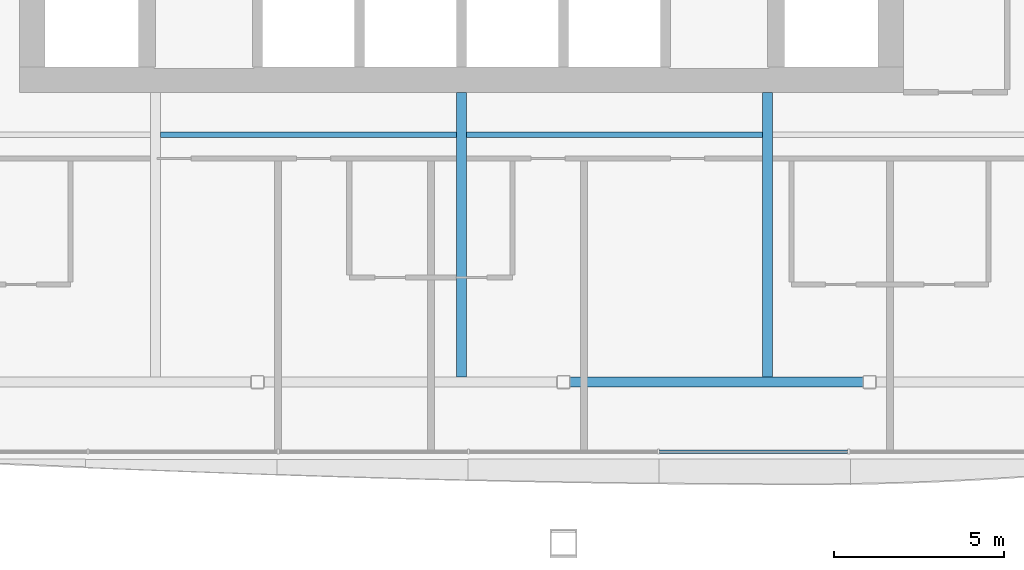
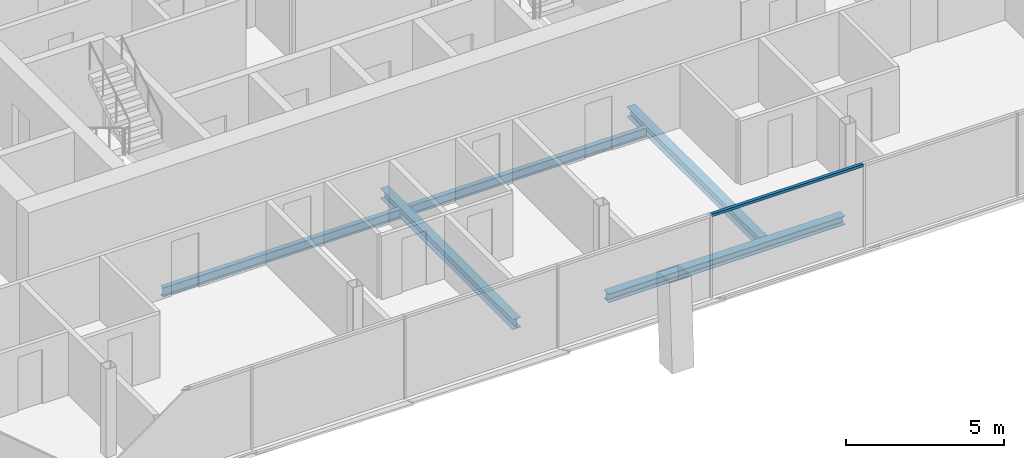
# One storey, part 4 of 21: 5 beams, 1 member, 1 element without a shape of its own.
"""IFC4 building model written with IfcOpenShell, lengths in metres."""

from ifc_helpers import new_model, si_unit, direction, frame, origin, origin_2d, place, context, subcontext, project, spatial, rectangle, i_section, extrude, material, material_profile, profile_set, type_object, element, aggregate, save


model = new_model("IFC4")

# Units and contexts
model_context = context("Model", 3, precision=1e-05, world=origin(), true_north=direction((0.0, 1.0)))
body_context = subcontext(model_context, "Body", "Model", "MODEL_VIEW")
ifc_project = project(units=[si_unit("LENGTHUNIT", "METRE"), si_unit("AREAUNIT", "SQUARE_METRE"), si_unit("VOLUMEUNIT", "CUBIC_METRE"), si_unit("PLANEANGLEUNIT", "RADIAN"), si_unit("MASSUNIT", "GRAM", prefix="KILO")], contexts=[model_context])

# Site, building, storey
site_placement = place(None, origin())
site = spatial("IfcSite", under=ifc_project, at=site_placement, CompositionType="ELEMENT")
building_placement = place(site_placement, origin())
building = spatial("IfcBuilding", under=site, at=building_placement, Name="Tskaro Facet Tower", CompositionType="ELEMENT")
storey_placement = place(building_placement, frame((0.0, 0.0, 138.5)))
storey = spatial("IfcBuildingStorey", under=building, at=storey_placement, Name="L33", CompositionType="ELEMENT", Elevation=138.5)

# Curtain wall, member
ifc_material_1 = material(Name="Bronze anodised aluminium 6063-T6", Category="aluminium")
curtain_wall_type = type_object("IfcCurtainWallType", Name="Bronze hotel curtain wall (FW2)", PredefinedType="NOTDEFINED", material=ifc_material_1)
curtain_wall_placement = place(storey_placement, origin())
curtain_wall = element("IfcCurtainWall", 1, at=curtain_wall_placement, inside=storey, type_object=curtain_wall_type, Name="FW2 south facet L33", PredefinedType="NOTDEFINED")
ifc_material_profile_1 = material_profile(ifc_material_1, rectangle(XDim=0.110107421875, YDim=0.10009765625, at=origin_2d()), Name="Transom 110x100")
ifc_profile_set_1 = profile_set([ifc_material_profile_1], Name="Bronze anodised aluminium 6063-T6")
member_type = type_object("IfcMemberType", Name="FW2 bronze transom 110x100", PredefinedType="USERDEFINED", material=ifc_profile_set_1)
member_placement = place(storey_placement, frame((5.826171875, -22.820068359375, 3.14990234375), z_axis=(1.0, 0.0, 0.0), x_axis=(0.0, 1.0, 0.0)))
member = element("IfcMember", 2, at=member_placement, type_object=member_type, Name="FW2 south transom 5.1", ObjectType="TRANSOM", PredefinedType="USERDEFINED", context=body_context, shape_type="SweptSolid", body=[
    extrude(rectangle(XDim=0.110107421875, YDim=0.10009765625, at=origin_2d()), origin(), (0.0, 0.0, 1.0), 5.53271484375),
])
aggregate(curtain_wall, [member])

# Beams
ifc_material_2 = material(Name="Steel S355J2", Category="steel")
ifc_material_profile_2 = material_profile(ifc_material_2, i_section(OverallWidth=0.300048828125, OverallDepth=0.340087890625, WebThickness=0.011962890625, FlangeThickness=0.021484375, FilletRadius=0.027099609375, at=origin_2d()), Name="HE 340 B")
ifc_profile_set_2 = profile_set([ifc_material_profile_2], Name="Steel S355J2")
beam_type_1 = type_object("IfcBeamType", Name="HE 340 B ring beam", PredefinedType="BEAM", material=ifc_profile_set_2)
beam_placement = place(storey_placement, frame((3.179931640625, -20.77392578125, -0.31005859375), z_axis=(1.0, 0.0, 0.0), x_axis=(0.0, 1.0, 0.0)))
element("IfcBeam", 3, at=beam_placement, inside=storey, type_object=beam_type_1, Name="HE 340 B EB3-3", PredefinedType="BEAM", context=body_context, shape_type="SweptSolid", body=[
    extrude(i_section(OverallWidth=0.300048828125, OverallDepth=0.340087890625, WebThickness=0.011962890625, FlangeThickness=0.021484375, FilletRadius=0.027099609375, at=origin_2d()), origin(), (0.0, 0.0, 1.0), 8.64013671875),
])
ifc_material_profile_3 = material_profile(ifc_material_2, i_section(OverallWidth=0.300048828125, OverallDepth=0.389892578125, WebThickness=0.010986328125, FlangeThickness=0.01904296875, FilletRadius=0.027099609375, at=origin_2d()), Name="HE 400 A")
ifc_profile_set_3 = profile_set([ifc_material_profile_3], Name="Steel S355J2")
beam_type_2 = type_object("IfcBeamType", Name="HE 400 A girder", PredefinedType="BEAM", material=ifc_profile_set_3)
for number, where, z_axis, x_axis, name in (
    (4, (0.0, -20.6240234375, -0.3349609375), (0.0, 1.0, 0.0), (-1.0, 0.0, 0.0), "HE 400 A GB4-1-3"),
    (5, (9.0, -20.6240234375, -0.3349609375), (0.0, 1.0, 0.0), (-1.0, 0.0, 0.0), "HE 400 A GB5-1-3"),
):
    element("IfcBeam", number, at=place(storey_placement, frame(where, z_axis=z_axis, x_axis=x_axis)), inside=storey, type_object=beam_type_2, Name=name, PredefinedType="BEAM", context=body_context, shape_type="SweptSolid", body=[
        extrude(i_section(OverallWidth=0.300048828125, OverallDepth=0.389892578125, WebThickness=0.010986328125, FlangeThickness=0.01904296875, FilletRadius=0.027099609375, at=origin_2d()), origin(), (0.0, 0.0, 1.0), 8.3740234375),
    ])
ifc_material_profile_4 = material_profile(ifc_material_2, i_section(OverallWidth=0.169921875, OverallDepth=0.360107421875, WebThickness=0.008056640625, FlangeThickness=0.0126953125, FilletRadius=0.01806640625, at=origin_2d()), Name="IPE 360")
ifc_profile_set_4 = profile_set([ifc_material_profile_4], Name="Steel S355J2")
beam_type_3 = type_object("IfcBeamType", Name="IPE 360 secondary beam", PredefinedType="BEAM", material=ifc_profile_set_4)
for number, where, z_axis, x_axis, name in (
    (6, (-8.85009765625, -13.5, -0.320068359375), (1.0, 0.0, 0.0), (0.0, 1.0, 0.0), "IPE 360 SB2a-2-3"),
    (7, (0.14990234375, -13.5, -0.320068359375), (1.0, 0.0, 0.0), (0.0, 1.0, 0.0), "IPE 360 SB2a-3-3"),
):
    element("IfcBeam", number, at=place(storey_placement, frame(where, z_axis=z_axis, x_axis=x_axis)), inside=storey, type_object=beam_type_3, Name=name, PredefinedType="BEAM", context=body_context, shape_type="SweptSolid", body=[
        extrude(i_section(OverallWidth=0.169921875, OverallDepth=0.360107421875, WebThickness=0.008056640625, FlangeThickness=0.0126953125, FilletRadius=0.01806640625, at=origin_2d()), origin(), (0.0, 0.0, 1.0), 8.7001953125),
    ])

save(model, "model.ifc")
